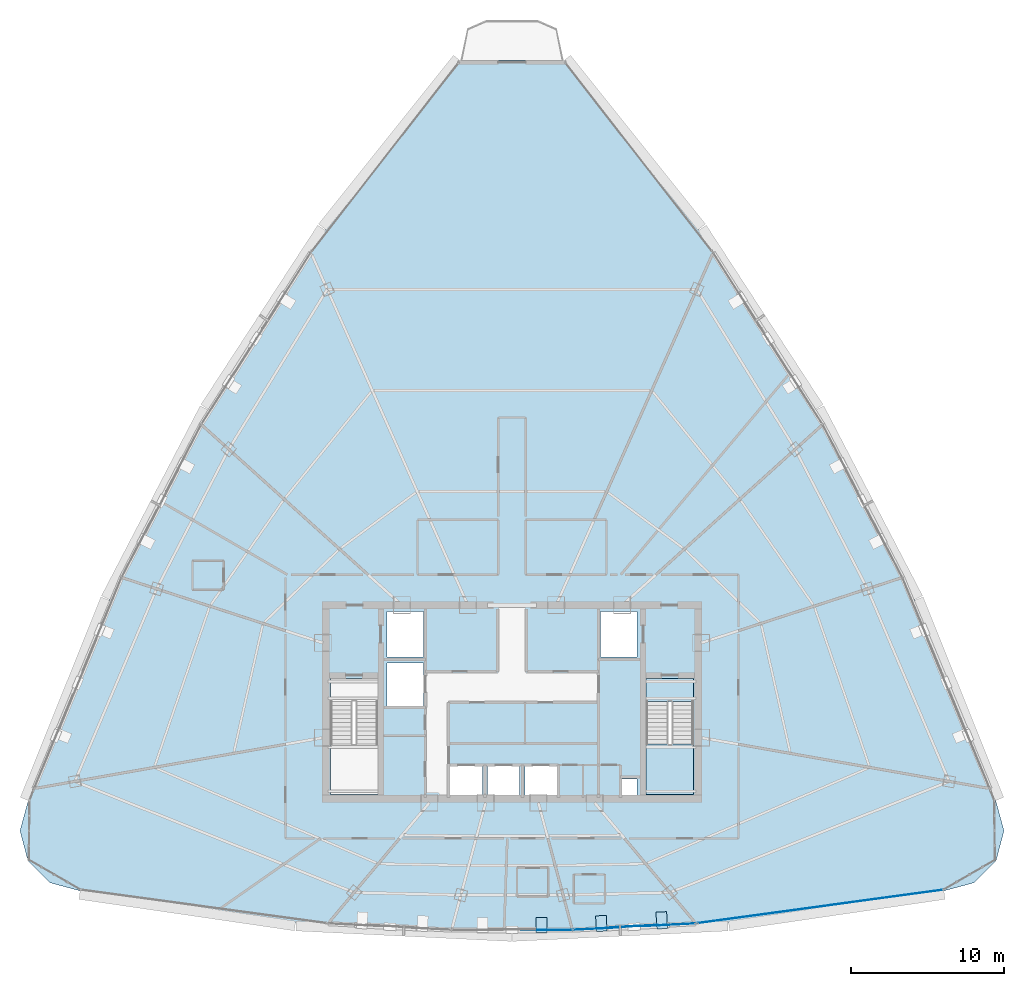
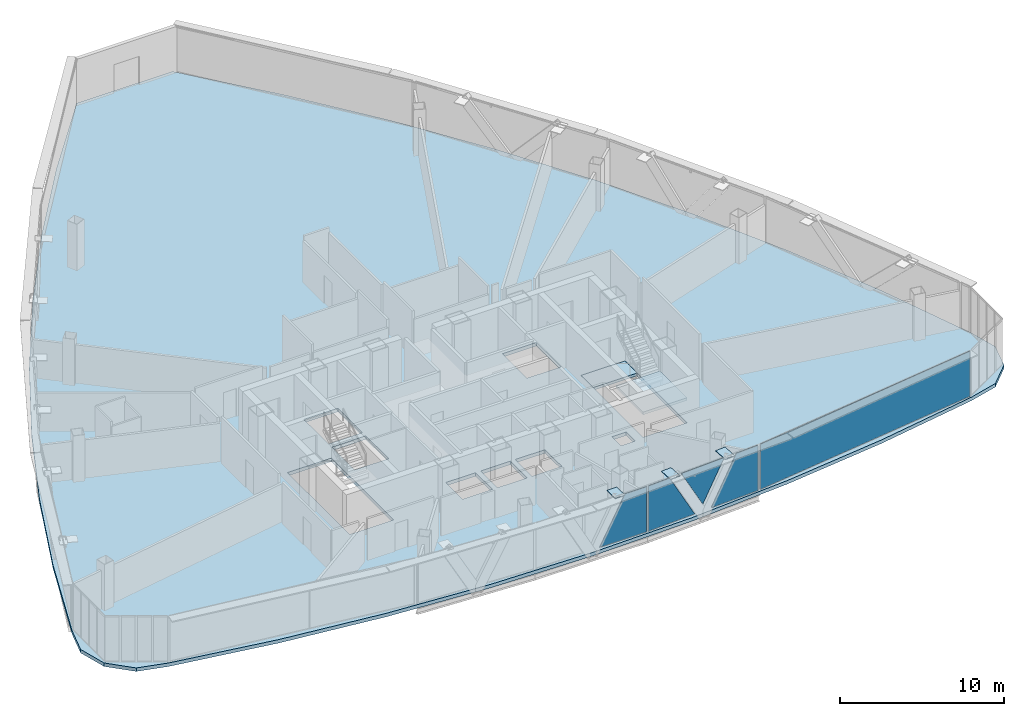
# One storey, part 31 of 39: 8 plates, 3 slabs, 4 elements without a shape of their own.
"""IFC4 building model written with IfcOpenShell, lengths in metres."""

from ifc_helpers import new_model, si_unit, direction, frame, origin, origin_2d, place, context, subcontext, project, spatial, polyline, rectangle, outline, extrude, source, transform, mapped, material, layer, layer_set, type_object, element, aggregate, save


model = new_model("IFC4")

# Units and contexts
model_context = context("Model", 3, precision=1e-05, world=origin(), true_north=direction((0.0, 1.0)))
body_context = subcontext(model_context, "Body", "Model", "MODEL_VIEW")
ifc_project = project(units=[si_unit("LENGTHUNIT", "METRE"), si_unit("AREAUNIT", "SQUARE_METRE"), si_unit("VOLUMEUNIT", "CUBIC_METRE"), si_unit("PLANEANGLEUNIT", "RADIAN"), si_unit("MASSUNIT", "GRAM", prefix="KILO"), si_unit("THERMODYNAMICTEMPERATUREUNIT", "KELVIN"), si_unit("POWERUNIT", "WATT")], contexts=[model_context])

# Site, building, storey
site_placement = place(None, origin())
site = spatial("IfcSite", under=ifc_project, at=site_placement, CompositionType="ELEMENT")
building_placement = place(site_placement, origin())
building = spatial("IfcBuilding", under=site, at=building_placement, Name="Yunzhuo Pagoda Commons", CompositionType="ELEMENT")
storey_placement = place(building_placement, frame((0.0, 0.0, 296.2099609375)))
storey = spatial("IfcBuildingStorey", under=building, at=storey_placement, Name="L74", CompositionType="ELEMENT", Elevation=296.2099609375)

# Curtain wall, plate
ifc_material_1 = material(Name="Anodized aluminium 6063-T6", Category="aluminium")
ifc_layer_1 = layer(ifc_material_1, 0.139892578125)
ifc_layer_set_1 = layer_set([ifc_layer_1], Name="Anodized aluminium 6063-T6")
curtain_wall_type = type_object("IfcCurtainWallType", Name="CW-HI High-Zone Ribbon Curtain Wall", PredefinedType="NOTDEFINED", material=ifc_layer_set_1)
curtain_wall_1_placement = place(storey_placement, origin())
curtain_wall_1 = element("IfcCurtainWall", 1, at=curtain_wall_1_placement, inside=storey, type_object=curtain_wall_type, Name="L74 curtain wall CW-L74-F1B3", PredefinedType="NOTDEFINED")
ifc_material_2 = material(Name="Tempered low-e double glazing", Category="glass")
ifc_layer_2 = layer(ifc_material_2, 0.02587890625)
ifc_layer_set_2 = layer_set([ifc_layer_2], Name="Tempered low-e double glazing")
plate_type_1 = type_object("IfcPlateType", Name="CW-HI-P Low-E Double Glazing 26", PredefinedType="CURTAIN_PANEL", material=ifc_layer_set_2)
plate_1_placement = place(storey_placement, frame((50.250244140625, 18.9248046875, 1.735107421875), z_axis=(0.0, -1.0, 0.0), x_axis=(1.0, 0.0, 0.0)))
plate_1 = element("IfcPlate", 2, at=plate_1_placement, type_object=plate_type_1, Name="CW panel 1.1 lite 3", PredefinedType="CURTAIN_PANEL", context=body_context, shape_type="SweptSolid", body=[
    extrude(outline(polyline([(-1.652587890625, -1.679931640625), (1.652587890625, -1.679931640625), (1.652587890625, 1.679931640625), (0.13232421875, 1.679931640625), (-1.652587890625, -1.679931640625)])), origin(), (0.0, 0.0, 1.0), 0.028076171875),
])
aggregate(curtain_wall_1, [plate_1])

# Curtain wall, plates
curtain_wall_2_placement = place(storey_placement, origin())
curtain_wall_2 = element("IfcCurtainWall", 3, at=curtain_wall_2_placement, inside=storey, type_object=curtain_wall_type, Name="L74 curtain wall CW-L74-F1B4", PredefinedType="NOTDEFINED")
plate_2_placement = place(storey_placement, frame((53.713623046875, 19.01611328125, 1.735107421875), z_axis=(0.052189625547, -0.998637192871, 0.0), x_axis=(0.998637192871, 0.052189625547, 0.0)))
plate_2 = element("IfcPlate", 4, at=plate_2_placement, type_object=plate_type_1, Name="CW panel 1.1 lite 1", PredefinedType="CURTAIN_PANEL", context=body_context, shape_type="SweptSolid", body=[
    extrude(outline(polyline([(-1.694091796875, -1.679931640625), (1.694091796875, -1.679931640625), (-0.130859375, 1.679931640625), (-1.694091796875, 1.679931640625), (-1.694091796875, -1.679931640625)])), origin(), (0.0, 0.0, 1.0), 0.028076171875),
])
plate_3_placement = place(storey_placement, frame((56.006591796875, 19.166015625, 1.9755859375), z_axis=(0.052189625547, -0.998637192871, 0.0), x_axis=(0.998637192871, 0.052189625547, 0.0)))
plate_3 = element("IfcPlate", 5, at=plate_3_placement, type_object=plate_type_1, Name="CW panel 1.1 lite 2", PredefinedType="CURTAIN_PANEL", context=body_context, shape_type="SweptSolid", body=[
    extrude(outline(polyline([(-1.5634765625, 1.439453125), (0.0, -1.439453125), (1.5634765625, 1.439453125), (-1.5634765625, 1.439453125)])), origin(), (0.0, 0.0, 1.0), 0.028076171875),
])
plate_4_placement = place(storey_placement, frame((58.302490234375, 19.255859375, 1.735107421875), z_axis=(0.052189625547, -0.998637192871, 0.0), x_axis=(0.998637192871, 0.052189625547, 0.0)))
plate_4 = element("IfcPlate", 6, at=plate_4_placement, type_object=plate_type_1, Name="CW panel 1.1 lite 3", PredefinedType="CURTAIN_PANEL", context=body_context, shape_type="SweptSolid", body=[
    extrude(outline(polyline([(-1.694091796875, -1.679931640625), (1.694091796875, -1.679931640625), (1.694091796875, 1.679931640625), (0.130859375, 1.679931640625), (-1.694091796875, -1.679931640625)])), origin(), (0.0, 0.0, 1.0), 0.028076171875),
])
aggregate(curtain_wall_2, [plate_2, plate_3, plate_4])

# Stair, slabs
ifc_material_3 = material(Name="Concrete C40", Category="concrete")
stair_type = type_object("IfcStairType", Name="ST-C2 Core Smokeproof Stair ST2", PredefinedType="HALF_TURN_STAIR", material=ifc_material_3)
stair_placement = place(storey_placement, origin())
stair = element("IfcStair", 7, at=stair_placement, inside=storey, type_object=stair_type, Name="L74 Core smokeproof stair ST2", PredefinedType="HALF_TURN_STAIR")
ifc_layer_3 = layer(ifc_material_3, 0.201904296875)
ifc_layer_set_3 = layer_set([ifc_layer_3], Name="Concrete C40")
slab_type_1 = type_object("IfcSlabType", Name="SL-LND2 Stair Landing Slab 202", PredefinedType="LANDING", material=ifc_layer_set_3)
slab_1_placement = place(storey_placement, frame((0.0, 0.0, 1.6650390625)))
slab_1 = element("IfcSlab", 8, at=slab_1_placement, type_object=slab_type_1, Name="ST2 landing 1", PredefinedType="LANDING", context=body_context, shape_type="SweptSolid", body=[
    extrude(outline(polyline([(56.800048828125, 31.10009765625), (56.800048828125, 27.800048828125), (59.89990234375, 27.800048828125), (59.89990234375, 31.10009765625), (56.800048828125, 31.10009765625)])), origin(), (0.0, 0.0, 1.0), 0.199951171875),
])
slab_2_placement = place(storey_placement, frame((0.0, 0.0, -0.199951171875)))
slab_2 = element("IfcSlab", 9, at=slab_2_placement, type_object=slab_type_1, Name="ST2 floor landing L74", PredefinedType="LANDING", context=body_context, shape_type="SweptSolid", body=[
    extrude(outline(polyline([(56.800048828125, 35.39990234375), (56.800048828125, 33.89990234375), (59.89990234375, 33.89990234375), (59.89990234375, 35.39990234375), (56.800048828125, 35.39990234375)])), origin(), (0.0, 0.0, 1.0), 0.199951171875),
])
aggregate(stair, [slab_1, slab_2])

# Slab
ifc_layer_4 = layer(ifc_material_3, 0.260009765625)
ifc_layer_set_4 = layer_set([ifc_layer_4], Name="Concrete C40")
slab_type_2 = type_object("IfcSlabType", Name="SL-TWR Typical Tower Floor Slab 260", PredefinedType="FLOOR", material=ifc_layer_set_4)
slab_3_placement = place(storey_placement, frame((0.0, 0.0, -0.260009765625)))
element("IfcSlab", 10, at=slab_3_placement, inside=storey, type_object=slab_type_2, Name="L74 structural floor slab", PredefinedType="FLOOR", context=body_context, shape_type="SweptSolid", body=[
    extrude(outline(polyline([(18.775390625, 34.047607421875), (21.573486328125, 40.55078125), (24.669189453125, 46.88037109375), (28.06298828125, 53.035888671875), (31.75439453125, 59.017578125), (35.743408203125, 64.82568359375), (40.030517578125, 70.459716796875), (44.614990234375, 75.920166015625), (51.385009765625, 75.920166015625), (55.969482421875, 70.459716796875), (60.256591796875, 64.82568359375), (64.24560546875, 59.017578125), (67.93701171875, 53.035888671875), (71.330810546875, 46.88037109375), (74.426513671875, 40.55078125), (77.224609375, 34.047607421875), (79.72509765625, 27.37060546875), (80.259521484375, 25.40869140625), (79.7392578125, 23.443115234375), (78.303955078125, 22.002685546875), (76.340087890625, 21.47509765625), (69.255126953125, 20.2685546875), (62.170166015625, 19.406494140625), (55.0849609375, 18.889404296875), (48.0, 18.717041015625), (40.9150390625, 18.889404296875), (33.830078125, 19.406494140625), (26.744873046875, 20.2685546875), (19.659912109375, 21.47509765625), (17.696044921875, 22.002685546875), (16.2607421875, 23.443115234375), (15.740478515625, 25.40869140625), (16.27490234375, 27.37060546875), (18.775390625, 34.047607421875)]), holes=[polyline([(56.179931640625, 28.800048828125), (55.179931640625, 28.800048828125), (55.179931640625, 27.699951171875), (56.179931640625, 27.699951171875), (56.179931640625, 28.800048828125)]), polyline([(46.050048828125, 29.64990234375), (43.949951171875, 29.64990234375), (43.949951171875, 27.60009765625), (46.050048828125, 27.60009765625), (46.050048828125, 29.64990234375)]), polyline([(48.5, 29.64990234375), (46.39990234375, 29.64990234375), (46.39990234375, 27.60009765625), (48.5, 27.60009765625), (48.5, 29.64990234375)]), polyline([(50.949951171875, 29.64990234375), (48.85009765625, 29.64990234375), (48.85009765625, 27.60009765625), (50.949951171875, 27.60009765625), (50.949951171875, 29.64990234375)]), polyline([(39.199951171875, 27.800048828125), (39.199951171875, 35.39990234375), (36.10009765625, 35.39990234375), (36.10009765625, 27.800048828125), (39.199951171875, 27.800048828125)]), polyline([(59.89990234375, 27.800048828125), (59.89990234375, 35.39990234375), (56.800048828125, 35.39990234375), (56.800048828125, 27.800048828125), (59.89990234375, 27.800048828125)]), polyline([(42.199951171875, 36.39990234375), (39.800048828125, 36.39990234375), (39.800048828125, 33.60009765625), (42.199951171875, 33.60009765625), (42.199951171875, 36.39990234375)]), polyline([(42.199951171875, 36.800048828125), (42.199951171875, 39.800048828125), (39.800048828125, 39.800048828125), (39.800048828125, 36.800048828125), (42.199951171875, 36.800048828125)]), polyline([(56.199951171875, 36.800048828125), (56.199951171875, 39.800048828125), (53.800048828125, 39.800048828125), (53.800048828125, 36.800048828125), (56.199951171875, 36.800048828125)])]), origin(), (0.0, 0.0, 1.0), 0.260009765625),
])

# Plates
ifc_material_4 = material(Name="Structural steel Q355B", Category="steel")
ifc_layer_5 = layer(ifc_material_4, 0.028076171875)
ifc_layer_set_5 = layer_set([ifc_layer_5], Name="Structural steel Q355B")
plate_type_2 = type_object("IfcPlateType", Name="SP-ND1 Lattice Node Cap Plate 800x500x28", PredefinedType="USERDEFINED", material=ifc_layer_set_5)
shared_shape_1 = source(origin(), body_context, "Body", "SweptSolid", [
    extrude(rectangle(XDim=0.699951171875, YDim=0.9912109375, at=origin_2d()), origin(), (0.0, 0.0, 1.0), 0.035888671875),
])
plate_5_placement = place(storey_placement, frame((49.93896484375, 19.228271484375, 3.43212890625), z_axis=(0.0, 0.0, 1.0), x_axis=(1.0, 0.0, 0.0)))
element("IfcPlate", 11, at=plate_5_placement, inside=storey, type_object=plate_type_2, Name="L74 setback lattice tie plate F1.2R", ObjectType="STIFFENER_PLATE", PredefinedType="USERDEFINED", context=body_context, shape_type="MappedRepresentation", body=[
    mapped(shared_shape_1, transform((0.0, 0.0, 0.0), scale=1.0)),
])
shared_shape_2 = source(origin(), body_context, "Body", "SweptSolid", [
    extrude(rectangle(XDim=0.699951171875, YDim=1.101318359375, at=origin_2d()), origin(), (0.0, 0.0, 1.0), 0.035888671875),
])
plate_6_placement = place(storey_placement, frame((57.818115234375, 19.53662109375, 3.43212890625), z_axis=(0.0, 0.0, 1.0), x_axis=(0.998636832498, 0.052196520746, 0.0)))
element("IfcPlate", 12, at=plate_6_placement, inside=storey, type_object=plate_type_2, Name="L74 setback lattice tie plate F1.3R", ObjectType="STIFFENER_PLATE", PredefinedType="USERDEFINED", context=body_context, shape_type="MappedRepresentation", body=[
    mapped(shared_shape_2, transform((0.0, 0.0, 0.0), scale=1.0)),
])
shared_shape_3 = source(origin(), body_context, "Body", "SweptSolid", [
    extrude(rectangle(XDim=0.699951171875, YDim=1.029541015625, at=origin_2d()), origin(), (0.0, 0.0, 1.0), 0.035888671875),
])
plate_7_placement = place(storey_placement, frame((53.85791015625, 19.3310546875, 3.43212890625), z_axis=(0.0, 0.0, 1.0), x_axis=(0.998636832498, 0.052196520746, 0.0)))
element("IfcPlate", 13, at=plate_7_placement, inside=storey, type_object=plate_type_2, Name="L74 setback lattice tie plate F1.3L", ObjectType="STIFFENER_PLATE", PredefinedType="USERDEFINED", context=body_context, shape_type="MappedRepresentation", body=[
    mapped(shared_shape_3, transform((0.0, 0.0, 0.0), scale=1.0)),
])

# Curtain wall, plate
curtain_wall_3_placement = place(storey_placement, origin())
curtain_wall_3 = element("IfcCurtainWall", 14, at=curtain_wall_3_placement, inside=storey, type_object=curtain_wall_type, Name="L74 curtain wall CW-L74-F1B5", PredefinedType="NOTDEFINED")
shared_shape_4 = source(origin(), body_context, "Body", "SweptSolid", [
    extrude(rectangle(XDim=16.199951171875, YDim=0.028076171875, at=origin_2d()), origin(), (0.0, 0.0, 1.0), 3.360107421875),
])
plate_8_placement = place(storey_placement, frame((68.214599609375, 20.444091796875, 0.05517578125), z_axis=(0.0, 0.0, 1.0), x_axis=(0.99086548222, 0.134853980826, 0.0)))
plate_8 = element("IfcPlate", 15, at=plate_8_placement, type_object=plate_type_1, Name="CW panel 1.1", PredefinedType="CURTAIN_PANEL", context=body_context, shape_type="MappedRepresentation", body=[
    mapped(shared_shape_4, transform((0.0, 0.0, 0.0), scale=1.0)),
])
aggregate(curtain_wall_3, [plate_8])

save(model, "model.ifc")
